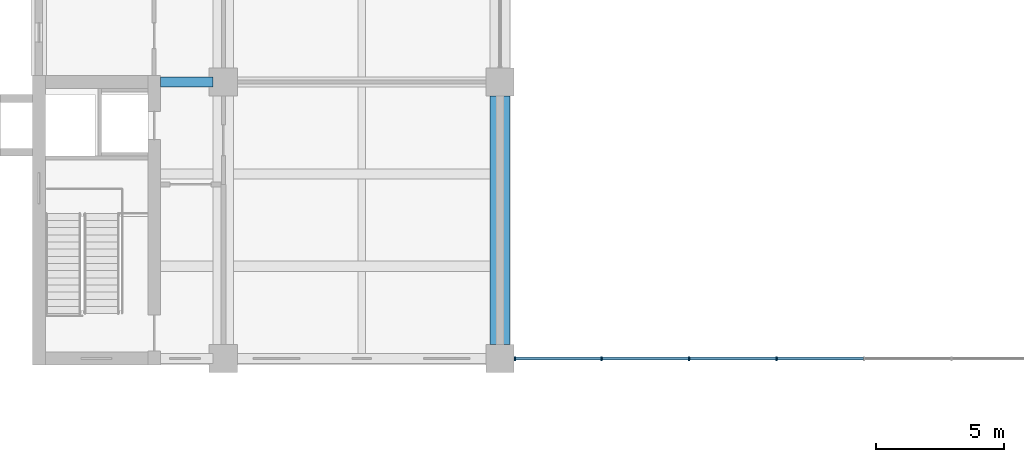
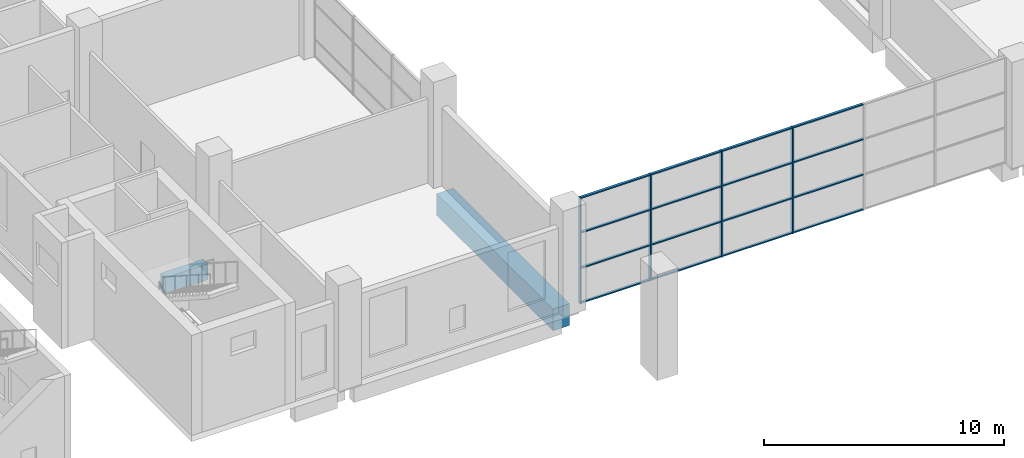
# One storey, part 2 of 33: 20 members, 2 beams, 1 element without a shape of its own.
"""IFC4 building model written with IfcOpenShell, lengths in metres."""

from ifc_helpers import new_model, si_unit, direction, frame, origin, origin_2d, place, context, subcontext, project, spatial, rectangle, extrude, material, layer, layer_set, material_profile, profile_set, type_object, element, aggregate, save


model = new_model("IFC4")

# Units and contexts
model_context = context("Model", 3, precision=1e-05, world=origin(), true_north=direction((0.0, 1.0)))
body_context = subcontext(model_context, "Body", "Model", "MODEL_VIEW")
ifc_project = project(units=[si_unit("LENGTHUNIT", "METRE"), si_unit("AREAUNIT", "SQUARE_METRE"), si_unit("VOLUMEUNIT", "CUBIC_METRE"), si_unit("PLANEANGLEUNIT", "RADIAN"), si_unit("MASSUNIT", "GRAM", prefix="KILO")], contexts=[model_context])

# Site, building, storey
site_placement = place(None, origin())
site = spatial("IfcSite", under=ifc_project, at=site_placement, CompositionType="ELEMENT")
building_placement = place(site_placement, origin())
building = spatial("IfcBuilding", under=site, at=building_placement, Name="Basin Gate Institute", CompositionType="ELEMENT")
storey_placement = place(building_placement, frame((0.0, 0.0, 6.0)))
storey = spatial("IfcBuildingStorey", under=building, at=storey_placement, Name="L01", CompositionType="ELEMENT", Elevation=6.0)

# Curtain wall, members
ifc_material_1 = material(Name="Aluminium and glass curtain wall", Category="aluminium")
ifc_layer = layer(ifc_material_1, 0.14990234375)
ifc_layer_set = layer_set([ifc_layer], Name="Atrium curtain wall CW81")
curtain_wall_type = type_object("IfcCurtainWallType", Name="Atrium curtain wall CW81", PredefinedType="NOTDEFINED", material=ifc_layer_set)
curtain_wall_placement = place(storey_placement, origin())
curtain_wall = element("IfcCurtainWall", 1, at=curtain_wall_placement, inside=storey, type_object=curtain_wall_type, material=ifc_layer_set, Name="Atrium end screen S L01", PredefinedType="NOTDEFINED")
ifc_material_2 = material(Name="Aluminium mullion", Category="aluminium")
ifc_material_profile_1 = material_profile(ifc_material_2, rectangle(XDim=0.159912109375, YDim=0.06005859375, at=origin_2d()), Name="Atrium mullion MU81 160 x 60")
ifc_profile_set_1 = profile_set([ifc_material_profile_1], Name="Aluminium mullion")
member_type_1 = type_object("IfcMemberType", Name="Atrium mullion MU81", PredefinedType="MULLION", material=ifc_profile_set_1)
member_1_placement = place(storey_placement, frame((79.780029296875, 35.10009765625, 0.0), z_axis=(0.0, 0.0, 1.0), x_axis=(0.0, 1.0, 0.0)))
member_1 = element("IfcMember", 2, at=member_1_placement, type_object=member_type_1, material=ifc_profile_set_1, Name="CW81 mullion 1", PredefinedType="MULLION", context=body_context, shape_type="SweptSolid", body=[
    extrude(rectangle(XDim=0.159912109375, YDim=0.06005859375, at=origin_2d()), origin(), (0.0, 0.0, 1.0), 5.39990234375),
])
member_2_placement = place(storey_placement, frame((83.166748046875, 35.10009765625, 0.0), z_axis=(0.0, 0.0, 1.0), x_axis=(0.0, 1.0, 0.0)))
member_2 = element("IfcMember", 3, at=member_2_placement, type_object=member_type_1, material=ifc_profile_set_1, Name="CW81 mullion 2", PredefinedType="MULLION", context=body_context, shape_type="SweptSolid", body=[
    extrude(rectangle(XDim=0.159912109375, YDim=0.06005859375, at=origin_2d()), origin(), (0.0, 0.0, 1.0), 5.39990234375),
])
member_3_placement = place(storey_placement, frame((86.583251953125, 35.10009765625, 0.0), z_axis=(0.0, 0.0, 1.0), x_axis=(0.0, 1.0, 0.0)))
member_3 = element("IfcMember", 4, at=member_3_placement, type_object=member_type_1, material=ifc_profile_set_1, Name="CW81 mullion 3", PredefinedType="MULLION", context=body_context, shape_type="SweptSolid", body=[
    extrude(rectangle(XDim=0.159912109375, YDim=0.06005859375, at=origin_2d()), origin(), (0.0, 0.0, 1.0), 5.39990234375),
])
member_4_placement = place(storey_placement, frame((90.0, 35.10009765625, 0.0), z_axis=(0.0, 0.0, 1.0), x_axis=(0.0, 1.0, 0.0)))
member_4 = element("IfcMember", 5, at=member_4_placement, type_object=member_type_1, material=ifc_profile_set_1, Name="CW81 mullion 4", PredefinedType="MULLION", context=body_context, shape_type="SweptSolid", body=[
    extrude(rectangle(XDim=0.159912109375, YDim=0.06005859375, at=origin_2d()), origin(), (0.0, 0.0, 1.0), 5.39990234375),
])
ifc_material_3 = material(Name="Aluminium transom", Category="aluminium")
ifc_material_profile_2 = material_profile(ifc_material_3, rectangle(XDim=0.1201171875, YDim=0.06005859375, at=origin_2d()), Name="Atrium transom TR81 120 x 60")
ifc_profile_set_2 = profile_set([ifc_material_profile_2], Name="Aluminium transom")
member_type_2 = type_object("IfcMemberType", Name="Atrium transom TR81", PredefinedType="USERDEFINED", material=ifc_profile_set_2)
member_5_placement = place(storey_placement, frame((79.81005859375, 35.10009765625, 0.030029296875), z_axis=(1.0, 0.0, 0.0), x_axis=(0.0, 1.0, 0.0)))
member_5 = element("IfcMember", 6, at=member_5_placement, type_object=member_type_2, material=ifc_profile_set_2, Name="CW81 transom 1.1", ObjectType="TRANSOM", PredefinedType="USERDEFINED", context=body_context, shape_type="SweptSolid", body=[
    extrude(rectangle(XDim=0.1201171875, YDim=0.06005859375, at=origin_2d()), origin(), (0.0, 0.0, 1.0), 3.32666015625),
])
member_6_placement = place(storey_placement, frame((79.81005859375, 35.10009765625, 1.800048828125), z_axis=(1.0, 0.0, 0.0), x_axis=(0.0, 1.0, 0.0)))
member_6 = element("IfcMember", 7, at=member_6_placement, type_object=member_type_2, material=ifc_profile_set_2, Name="CW81 transom 1.2", ObjectType="TRANSOM", PredefinedType="USERDEFINED", context=body_context, shape_type="SweptSolid", body=[
    extrude(rectangle(XDim=0.1201171875, YDim=0.06005859375, at=origin_2d()), origin(), (0.0, 0.0, 1.0), 3.32666015625),
])
member_7_placement = place(storey_placement, frame((79.81005859375, 35.10009765625, 3.60009765625), z_axis=(1.0, 0.0, 0.0), x_axis=(0.0, 1.0, 0.0)))
member_7 = element("IfcMember", 8, at=member_7_placement, type_object=member_type_2, material=ifc_profile_set_2, Name="CW81 transom 1.3", ObjectType="TRANSOM", PredefinedType="USERDEFINED", context=body_context, shape_type="SweptSolid", body=[
    extrude(rectangle(XDim=0.1201171875, YDim=0.06005859375, at=origin_2d()), origin(), (0.0, 0.0, 1.0), 3.32666015625),
])
member_8_placement = place(storey_placement, frame((79.81005859375, 35.10009765625, 5.3701171875), z_axis=(1.0, 0.0, 0.0), x_axis=(0.0, 1.0, 0.0)))
member_8 = element("IfcMember", 9, at=member_8_placement, type_object=member_type_2, material=ifc_profile_set_2, Name="CW81 transom 1.4", ObjectType="TRANSOM", PredefinedType="USERDEFINED", context=body_context, shape_type="SweptSolid", body=[
    extrude(rectangle(XDim=0.1201171875, YDim=0.06005859375, at=origin_2d()), origin(), (0.0, 0.0, 1.0), 3.32666015625),
])
member_9_placement = place(storey_placement, frame((83.19677734375, 35.10009765625, 0.030029296875), z_axis=(1.0, 0.0, 0.0), x_axis=(0.0, 1.0, 0.0)))
member_9 = element("IfcMember", 10, at=member_9_placement, type_object=member_type_2, material=ifc_profile_set_2, Name="CW81 transom 2.1", ObjectType="TRANSOM", PredefinedType="USERDEFINED", context=body_context, shape_type="SweptSolid", body=[
    extrude(rectangle(XDim=0.1201171875, YDim=0.06005859375, at=origin_2d()), origin(), (0.0, 0.0, 1.0), 3.3564453125),
])
member_10_placement = place(storey_placement, frame((83.19677734375, 35.10009765625, 1.800048828125), z_axis=(1.0, 0.0, 0.0), x_axis=(0.0, 1.0, 0.0)))
member_10 = element("IfcMember", 11, at=member_10_placement, type_object=member_type_2, material=ifc_profile_set_2, Name="CW81 transom 2.2", ObjectType="TRANSOM", PredefinedType="USERDEFINED", context=body_context, shape_type="SweptSolid", body=[
    extrude(rectangle(XDim=0.1201171875, YDim=0.06005859375, at=origin_2d()), origin(), (0.0, 0.0, 1.0), 3.3564453125),
])
member_11_placement = place(storey_placement, frame((83.19677734375, 35.10009765625, 3.60009765625), z_axis=(1.0, 0.0, 0.0), x_axis=(0.0, 1.0, 0.0)))
member_11 = element("IfcMember", 12, at=member_11_placement, type_object=member_type_2, material=ifc_profile_set_2, Name="CW81 transom 2.3", ObjectType="TRANSOM", PredefinedType="USERDEFINED", context=body_context, shape_type="SweptSolid", body=[
    extrude(rectangle(XDim=0.1201171875, YDim=0.06005859375, at=origin_2d()), origin(), (0.0, 0.0, 1.0), 3.3564453125),
])
member_12_placement = place(storey_placement, frame((83.19677734375, 35.10009765625, 5.3701171875), z_axis=(1.0, 0.0, 0.0), x_axis=(0.0, 1.0, 0.0)))
member_12 = element("IfcMember", 13, at=member_12_placement, type_object=member_type_2, material=ifc_profile_set_2, Name="CW81 transom 2.4", ObjectType="TRANSOM", PredefinedType="USERDEFINED", context=body_context, shape_type="SweptSolid", body=[
    extrude(rectangle(XDim=0.1201171875, YDim=0.06005859375, at=origin_2d()), origin(), (0.0, 0.0, 1.0), 3.3564453125),
])
member_13_placement = place(storey_placement, frame((86.61328125, 35.10009765625, 0.030029296875), z_axis=(1.0, 0.0, 0.0), x_axis=(0.0, 1.0, 0.0)))
member_13 = element("IfcMember", 14, at=member_13_placement, type_object=member_type_2, material=ifc_profile_set_2, Name="CW81 transom 3.1", ObjectType="TRANSOM", PredefinedType="USERDEFINED", context=body_context, shape_type="SweptSolid", body=[
    extrude(rectangle(XDim=0.1201171875, YDim=0.06005859375, at=origin_2d()), origin(), (0.0, 0.0, 1.0), 3.356689453125),
])
member_14_placement = place(storey_placement, frame((86.61328125, 35.10009765625, 1.800048828125), z_axis=(1.0, 0.0, 0.0), x_axis=(0.0, 1.0, 0.0)))
member_14 = element("IfcMember", 15, at=member_14_placement, type_object=member_type_2, material=ifc_profile_set_2, Name="CW81 transom 3.2", ObjectType="TRANSOM", PredefinedType="USERDEFINED", context=body_context, shape_type="SweptSolid", body=[
    extrude(rectangle(XDim=0.1201171875, YDim=0.06005859375, at=origin_2d()), origin(), (0.0, 0.0, 1.0), 3.356689453125),
])
member_15_placement = place(storey_placement, frame((86.61328125, 35.10009765625, 3.60009765625), z_axis=(1.0, 0.0, 0.0), x_axis=(0.0, 1.0, 0.0)))
member_15 = element("IfcMember", 16, at=member_15_placement, type_object=member_type_2, material=ifc_profile_set_2, Name="CW81 transom 3.3", ObjectType="TRANSOM", PredefinedType="USERDEFINED", context=body_context, shape_type="SweptSolid", body=[
    extrude(rectangle(XDim=0.1201171875, YDim=0.06005859375, at=origin_2d()), origin(), (0.0, 0.0, 1.0), 3.356689453125),
])
member_16_placement = place(storey_placement, frame((86.61328125, 35.10009765625, 5.3701171875), z_axis=(1.0, 0.0, 0.0), x_axis=(0.0, 1.0, 0.0)))
member_16 = element("IfcMember", 17, at=member_16_placement, type_object=member_type_2, material=ifc_profile_set_2, Name="CW81 transom 3.4", ObjectType="TRANSOM", PredefinedType="USERDEFINED", context=body_context, shape_type="SweptSolid", body=[
    extrude(rectangle(XDim=0.1201171875, YDim=0.06005859375, at=origin_2d()), origin(), (0.0, 0.0, 1.0), 3.356689453125),
])
member_17_placement = place(storey_placement, frame((90.030029296875, 35.10009765625, 0.030029296875), z_axis=(1.0, 0.0, 0.0), x_axis=(0.0, 1.0, 0.0)))
member_17 = element("IfcMember", 18, at=member_17_placement, type_object=member_type_2, material=ifc_profile_set_2, Name="CW81 transom 4.1", ObjectType="TRANSOM", PredefinedType="USERDEFINED", context=body_context, shape_type="SweptSolid", body=[
    extrude(rectangle(XDim=0.1201171875, YDim=0.06005859375, at=origin_2d()), origin(), (0.0, 0.0, 1.0), 3.356689453125),
])
member_18_placement = place(storey_placement, frame((90.030029296875, 35.10009765625, 1.800048828125), z_axis=(1.0, 0.0, 0.0), x_axis=(0.0, 1.0, 0.0)))
member_18 = element("IfcMember", 19, at=member_18_placement, type_object=member_type_2, material=ifc_profile_set_2, Name="CW81 transom 4.2", ObjectType="TRANSOM", PredefinedType="USERDEFINED", context=body_context, shape_type="SweptSolid", body=[
    extrude(rectangle(XDim=0.1201171875, YDim=0.06005859375, at=origin_2d()), origin(), (0.0, 0.0, 1.0), 3.356689453125),
])
member_19_placement = place(storey_placement, frame((90.030029296875, 35.10009765625, 3.60009765625), z_axis=(1.0, 0.0, 0.0), x_axis=(0.0, 1.0, 0.0)))
member_19 = element("IfcMember", 20, at=member_19_placement, type_object=member_type_2, material=ifc_profile_set_2, Name="CW81 transom 4.3", ObjectType="TRANSOM", PredefinedType="USERDEFINED", context=body_context, shape_type="SweptSolid", body=[
    extrude(rectangle(XDim=0.1201171875, YDim=0.06005859375, at=origin_2d()), origin(), (0.0, 0.0, 1.0), 3.356689453125),
])
member_20_placement = place(storey_placement, frame((90.030029296875, 35.10009765625, 5.3701171875), z_axis=(1.0, 0.0, 0.0), x_axis=(0.0, 1.0, 0.0)))
member_20 = element("IfcMember", 21, at=member_20_placement, type_object=member_type_2, material=ifc_profile_set_2, Name="CW81 transom 4.4", ObjectType="TRANSOM", PredefinedType="USERDEFINED", context=body_context, shape_type="SweptSolid", body=[
    extrude(rectangle(XDim=0.1201171875, YDim=0.06005859375, at=origin_2d()), origin(), (0.0, 0.0, 1.0), 3.356689453125),
])
aggregate(curtain_wall, [member_1, member_2, member_3, member_4, member_5, member_6, member_7, member_8, member_9, member_10, member_11, member_12, member_13, member_14, member_15, member_16, member_17, member_18, member_19, member_20])

# Beams
ifc_material_4 = material(Name="Concrete 40 MPa", Category="concrete")
ifc_material_profile_3 = material_profile(ifc_material_4, rectangle(XDim=0.39990234375, YDim=0.800048828125, at=origin_2d()), Name="Beam B2 400 x 800")
ifc_profile_set_3 = profile_set([ifc_material_profile_3], Name="Concrete 40 MPa")
beam_type_1 = type_object("IfcBeamType", Name="Beam B2 R180", PredefinedType="BEAM", material=ifc_profile_set_3)
beam_1_placement = place(storey_placement, frame((65.949951171875, 45.89990234375, -0.699951171875), z_axis=(1.0, 0.0, 0.0), x_axis=(0.0, 1.0, 0.0)))
element("IfcBeam", 22, at=beam_1_placement, inside=storey, type_object=beam_type_1, material=ifc_profile_set_3, Name="BEAM/L01/W/CORR/04", PredefinedType="BEAM", context=body_context, shape_type="SweptSolid", body=[
    extrude(rectangle(XDim=0.39990234375, YDim=0.800048828125, at=origin_2d()), origin(), (0.0, 0.0, 1.0), 2.050048828125),
])
ifc_material_5 = material(Name="Concrete 50 MPa", Category="concrete")
ifc_material_profile_4 = material_profile(ifc_material_5, rectangle(XDim=0.800048828125, YDim=1.10009765625, at=origin_2d()), Name="Girder G2 800 x 1100")
ifc_profile_set_4 = profile_set([ifc_material_profile_4], Name="Concrete 50 MPa")
beam_type_2 = type_object("IfcBeamType", Name="Girder G2 R180", PredefinedType="BEAM", material=ifc_profile_set_4)
beam_2_placement = place(storey_placement, frame((79.199951171875, 35.64990234375, -0.85009765625), z_axis=(0.0, 1.0, 0.0), x_axis=(-1.0, 0.0, 0.0)))
element("IfcBeam", 23, at=beam_2_placement, inside=storey, type_object=beam_type_2, material=ifc_profile_set_4, Name="GIR/L01/W6/1", PredefinedType="BEAM", context=body_context, shape_type="SweptSolid", body=[
    extrude(rectangle(XDim=0.800048828125, YDim=1.10009765625, at=origin_2d()), origin(), (0.0, 0.0, 1.0), 9.7001953125),
])

save(model, "model.ifc")
